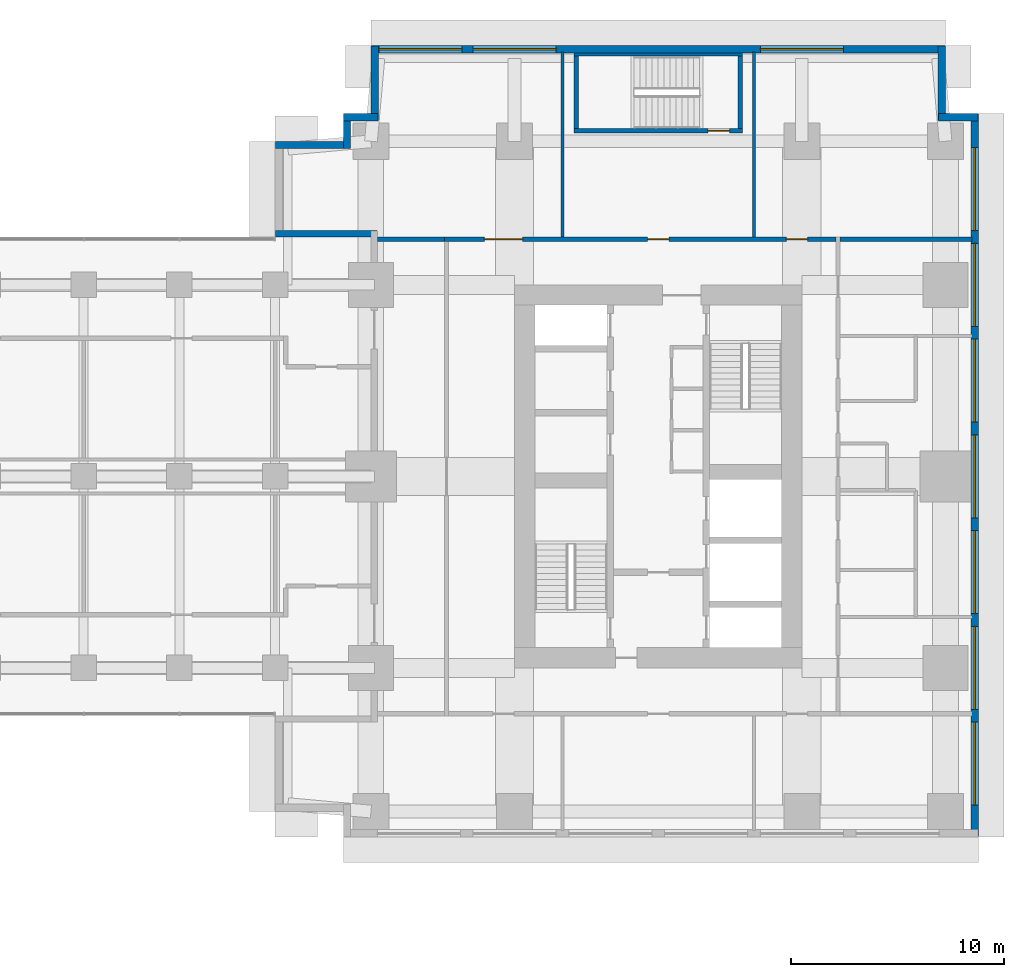
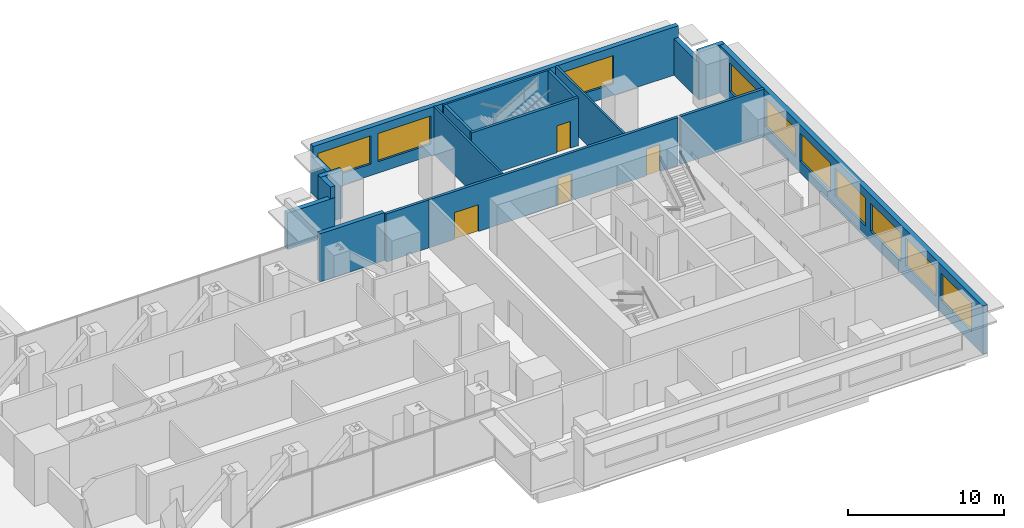
# One storey, part 12 of 16: 18 walls, 10 windows, 4 doors, 14 openings.
"""IFC4 building model written with IfcOpenShell, lengths in metres."""

from ifc_helpers import new_model, si_unit, direction, frame, frame_2d, origin, place, context, subcontext, project, spatial, rectangle, extrude, material, layer, layer_set, type_object, element, fill, save


model = new_model("IFC4")

# Units and contexts
model_context = context("Model", 3, precision=1e-05, world=origin(), true_north=direction((0.0, 1.0)))
body_context = subcontext(model_context, "Body", "Model", "MODEL_VIEW")
ifc_project = project(units=[si_unit("LENGTHUNIT", "METRE"), si_unit("AREAUNIT", "SQUARE_METRE"), si_unit("VOLUMEUNIT", "CUBIC_METRE"), si_unit("PLANEANGLEUNIT", "RADIAN"), si_unit("MASSUNIT", "GRAM", prefix="KILO")], contexts=[model_context])

# Site, building, storey
site_placement = place(None, origin())
site = spatial("IfcSite", under=ifc_project, at=site_placement, CompositionType="ELEMENT")
building_placement = place(site_placement, origin())
building = spatial("IfcBuilding", under=site, at=building_placement, Name="Namib Vertical Campus", CompositionType="ELEMENT")
storey_placement = place(building_placement, frame((0.0, 0.0, 121.0)))
storey = spatial("IfcBuildingStorey", under=building, at=storey_placement, Name="L28", CompositionType="ELEMENT", Elevation=121.0)

# Wall, openings, doors
ifc_material_1 = material(Name="Concrete masonry", Category="masonry")
ifc_layer_1 = layer(ifc_material_1, 0.199951171875)
ifc_layer_set_1 = layer_set([ifc_layer_1], Name="Corridor wall 200")
wall_type_1 = type_object("IfcWallType", Name="Corridor wall 200", PredefinedType="SOLIDWALL", material=ifc_layer_set_1)
wall_1_placement = place(storey_placement, frame((89.35009765625, 31.39990234375, 0.0), z_axis=(0.0, 0.0, 1.0), x_axis=(-1.0, 0.0, 0.0)))
wall_1 = element("IfcWall", 1, at=wall_1_placement, inside=storey, type_object=wall_type_1, Name="Corridor wall B L28 CN", PredefinedType="SOLIDWALL", context=body_context, shape_type="SweptSolid", body=[
    extrude(rectangle(XDim=18.400146484375, YDim=0.199951171875, at=frame_2d((9.2001953125, 0.0))), origin(), (0.0, 0.0, 1.0), 3.75),
])
opening_1_placement = place(wall_1_placement, frame((14.72509765625, 0.0, 0.0)))
opening_1 = element("IfcOpeningElement", 2, at=opening_1_placement, cuts=wall_1, Name="Opening CD2", PredefinedType="OPENING", context=body_context, shape_type="SweptSolid", body=[
    extrude(rectangle(XDim=1.800048828125, YDim=2.10009765625, at=frame_2d((0.89990234375, 1.050048828125))), frame((0.0, 0.10986328125, 0.0), z_axis=(0.0, -1.0, 0.0), x_axis=(1.0, 0.0, 0.0)), (0.0, 0.0, 1.0), 0.219970703125),
])
opening_2_placement = place(wall_1_placement, frame((7.85009765625, 0.0, 0.0)))
opening_2 = element("IfcOpeningElement", 3, at=opening_2_placement, cuts=wall_1, Name="Opening CD1", PredefinedType="OPENING", context=body_context, shape_type="SweptSolid", body=[
    extrude(rectangle(XDim=1.0, YDim=2.10009765625, at=frame_2d((0.5, 1.050048828125))), frame((0.0, 0.10986328125, 0.0), z_axis=(0.0, -1.0, 0.0), x_axis=(1.0, 0.0, 0.0)), (0.0, 0.0, 1.0), 0.219970703125),
])
opening_3_placement = place(wall_1_placement, frame((1.324951171875, 0.0, 0.0)))
opening_3 = element("IfcOpeningElement", 4, at=opening_3_placement, cuts=wall_1, Name="Opening CD1", PredefinedType="OPENING", context=body_context, shape_type="SweptSolid", body=[
    extrude(rectangle(XDim=1.0, YDim=2.10009765625, at=frame_2d((0.5, 1.050048828125))), frame((0.0, 0.10986328125, 0.0), z_axis=(0.0, -1.0, 0.0), x_axis=(1.0, 0.0, 0.0)), (0.0, 0.0, 1.0), 0.219970703125),
])
ifc_material_2 = material(Name="Timber fire door leaf", Category="wood")
door_type_1 = type_object("IfcDoorType", Name="Corridor door 1000x2100 20 min", OperationType="SINGLE_SWING_LEFT", PredefinedType="DOOR", material=ifc_material_2)
door_1_placement = place(opening_2_placement, frame((1.0, 0.0, 0.0), z_axis=(0.0, 0.0, 1.0), x_axis=(-1.0, 0.0, 0.0)))
door_1 = element("IfcDoor", 5, at=door_1_placement, inside=storey, type_object=door_type_1, Name="Door CD1 B28-12", OperationType="SINGLE_SWING_RIGHT", OverallHeight=2.10009765625, OverallWidth=1.0, PredefinedType="DOOR", context=body_context, shape_type="SweptSolid", body=[
    extrude(rectangle(XDim=1.0, YDim=2.10009765625, at=frame_2d((0.5, 1.050048828125))), frame((0.0, 0.02490234375, 0.0), z_axis=(0.0, -1.0, 0.0), x_axis=(1.0, 0.0, 0.0)), (0.0, 0.0, 1.0), 0.050048828125),
])
fill(opening_2, door_1)
door_2_placement = place(opening_3_placement, frame((1.0, 0.0, 0.0), z_axis=(0.0, 0.0, 1.0), x_axis=(-1.0, 0.0, 0.0)))
door_2 = element("IfcDoor", 6, at=door_2_placement, inside=storey, type_object=door_type_1, Name="Door CD1 B28-13", OperationType="SINGLE_SWING_LEFT", OverallHeight=2.10009765625, OverallWidth=1.0, PredefinedType="DOOR", context=body_context, shape_type="SweptSolid", body=[
    extrude(rectangle(XDim=1.0, YDim=2.10009765625, at=frame_2d((0.5, 1.050048828125))), frame((0.0, 0.02490234375, 0.0), z_axis=(0.0, -1.0, 0.0), x_axis=(1.0, 0.0, 0.0)), (0.0, 0.0, 1.0), 0.050048828125),
])
fill(opening_3, door_2)
ifc_material_3 = material(Name="Timber fire door leaf", Category="wood")
door_type_2 = type_object("IfcDoorType", Name="Corridor door double 1800x2100 20 min", OperationType="DOUBLE_DOOR_SINGLE_SWING", PredefinedType="DOOR", material=ifc_material_3)
door_3_placement = place(opening_1_placement, frame((1.800048828125, 0.0, 0.0), z_axis=(0.0, 0.0, 1.0), x_axis=(-1.0, 0.0, 0.0)))
door_3 = element("IfcDoor", 7, at=door_3_placement, inside=storey, type_object=door_type_2, Name="Door CD2 B28-11", OperationType="DOUBLE_DOOR_SINGLE_SWING", OverallHeight=2.10009765625, OverallWidth=1.800048828125, PredefinedType="DOOR", context=body_context, shape_type="SweptSolid", body=[
    extrude(rectangle(XDim=1.800048828125, YDim=2.10009765625, at=frame_2d((0.89990234375, 1.050048828125))), frame((0.0, 0.02490234375, 0.0), z_axis=(0.0, -1.0, 0.0), x_axis=(1.0, 0.0, 0.0)), (0.0, 0.0, 1.0), 0.050048828125),
])
fill(opening_1, door_3)

# Walls
wall_2_placement = place(storey_placement, frame((67.800048828125, 31.39990234375, 0.0), z_axis=(0.0, 0.0, 1.0), x_axis=(1.0, 0.0, 0.0)))
element("IfcWall", 8, at=wall_2_placement, inside=storey, type_object=wall_type_1, Name="Partition B L28 BNW", PredefinedType="SOLIDWALL", context=body_context, shape_type="SweptSolid", body=[
    extrude(rectangle(XDim=3.14990234375, YDim=0.199951171875, at=frame_2d((1.574951171875, 0.0))), origin(), (0.0, 0.0, 1.0), 3.75),
])
wall_3_placement = place(storey_placement, frame((89.550048828125, 31.39990234375, 0.0), z_axis=(0.0, 0.0, 1.0), x_axis=(1.0, 0.0, 0.0)))
element("IfcWall", 9, at=wall_3_placement, inside=storey, type_object=wall_type_1, Name="Partition B L28 BNE", PredefinedType="SOLIDWALL", context=body_context, shape_type="SweptSolid", body=[
    extrude(rectangle(XDim=6.199951171875, YDim=0.199951171875, at=frame_2d((3.10009765625, 0.0))), origin(), (0.0, 0.0, 1.0), 3.75),
])

# Wall, openings, windows
ifc_material_4 = material(Name="Concrete C40/50", Category="concrete")
ifc_layer_2 = layer(ifc_material_4, 0.35009765625)
ifc_layer_set_2 = layer_set([ifc_layer_2], Name="Concrete C40/50")
wall_type_2 = type_object("IfcWallType", Name="External wall 350 bush-hammered concrete", PredefinedType="STANDARD", material=ifc_layer_set_2)
wall_4_placement = place(storey_placement, frame((95.875, 3.320068359375, 0.0), z_axis=(0.0, 0.0, 1.0), x_axis=(0.0, 1.0, 0.0)))
wall_4 = element("IfcWall", 10, at=wall_4_placement, inside=storey, type_object=wall_type_2, Name="External wall L28 F05", PredefinedType="STANDARD", context=body_context, shape_type="SweptSolid", body=[
    extrude(rectangle(XDim=33.9599609375, YDim=0.35009765625, at=frame_2d((16.97998046875, 0.0))), origin(), (0.0, 0.0, 1.0), 3.75),
])
opening_4_placement = place(wall_4_placement, frame((1.47998046875, 0.0, 0.89990234375)))
opening_4 = element("IfcOpeningElement", 11, at=opening_4_placement, cuts=wall_4, Name="Opening W1", PredefinedType="OPENING", context=body_context, shape_type="SweptSolid", body=[
    extrude(rectangle(XDim=3.89990234375, YDim=2.199951171875, at=frame_2d((1.949951171875, 1.10009765625))), frame((0.0, 0.18505859375, 0.0), z_axis=(0.0, -1.0, 0.0), x_axis=(1.0, 0.0, 0.0)), (0.0, 0.0, 1.0), 0.3701171875),
])
opening_5_placement = place(wall_4_placement, frame((5.97998046875, 0.0, 0.89990234375)))
opening_5 = element("IfcOpeningElement", 12, at=opening_5_placement, cuts=wall_4, Name="Opening W1", PredefinedType="OPENING", context=body_context, shape_type="SweptSolid", body=[
    extrude(rectangle(XDim=3.89990234375, YDim=2.199951171875, at=frame_2d((1.949951171875, 1.10009765625))), frame((0.0, 0.18505859375, 0.0), z_axis=(0.0, -1.0, 0.0), x_axis=(1.0, 0.0, 0.0)), (0.0, 0.0, 1.0), 0.3701171875),
])
opening_6_placement = place(wall_4_placement, frame((10.47998046875, 0.0, 0.89990234375)))
opening_6 = element("IfcOpeningElement", 13, at=opening_6_placement, cuts=wall_4, Name="Opening W1", PredefinedType="OPENING", context=body_context, shape_type="SweptSolid", body=[
    extrude(rectangle(XDim=3.89990234375, YDim=2.199951171875, at=frame_2d((1.949951171875, 1.10009765625))), frame((0.0, 0.18505859375, 0.0), z_axis=(0.0, -1.0, 0.0), x_axis=(1.0, 0.0, 0.0)), (0.0, 0.0, 1.0), 0.3701171875),
])
opening_7_placement = place(wall_4_placement, frame((14.97998046875, 0.0, 0.89990234375)))
opening_7 = element("IfcOpeningElement", 14, at=opening_7_placement, cuts=wall_4, Name="Opening W1", PredefinedType="OPENING", context=body_context, shape_type="SweptSolid", body=[
    extrude(rectangle(XDim=3.89990234375, YDim=2.199951171875, at=frame_2d((1.949951171875, 1.10009765625))), frame((0.0, 0.18505859375, 0.0), z_axis=(0.0, -1.0, 0.0), x_axis=(1.0, 0.0, 0.0)), (0.0, 0.0, 1.0), 0.3701171875),
])
opening_8_placement = place(wall_4_placement, frame((19.47998046875, 0.0, 0.89990234375)))
opening_8 = element("IfcOpeningElement", 15, at=opening_8_placement, cuts=wall_4, Name="Opening W1", PredefinedType="OPENING", context=body_context, shape_type="SweptSolid", body=[
    extrude(rectangle(XDim=3.89990234375, YDim=2.199951171875, at=frame_2d((1.949951171875, 1.10009765625))), frame((0.0, 0.18505859375, 0.0), z_axis=(0.0, -1.0, 0.0), x_axis=(1.0, 0.0, 0.0)), (0.0, 0.0, 1.0), 0.3701171875),
])
opening_9_placement = place(wall_4_placement, frame((23.97998046875, 0.0, 0.89990234375)))
opening_9 = element("IfcOpeningElement", 16, at=opening_9_placement, cuts=wall_4, Name="Opening W1", PredefinedType="OPENING", context=body_context, shape_type="SweptSolid", body=[
    extrude(rectangle(XDim=3.89990234375, YDim=2.199951171875, at=frame_2d((1.949951171875, 1.10009765625))), frame((0.0, 0.18505859375, 0.0), z_axis=(0.0, -1.0, 0.0), x_axis=(1.0, 0.0, 0.0)), (0.0, 0.0, 1.0), 0.3701171875),
])
opening_10_placement = place(wall_4_placement, frame((28.47998046875, 0.0, 0.89990234375)))
opening_10 = element("IfcOpeningElement", 17, at=opening_10_placement, cuts=wall_4, Name="Opening W1", PredefinedType="OPENING", context=body_context, shape_type="SweptSolid", body=[
    extrude(rectangle(XDim=3.89990234375, YDim=2.199951171875, at=frame_2d((1.949951171875, 1.10009765625))), frame((0.0, 0.18505859375, 0.0), z_axis=(0.0, -1.0, 0.0), x_axis=(1.0, 0.0, 0.0)), (0.0, 0.0, 1.0), 0.3701171875),
])
ifc_material_5 = material(Name="Dark tinted glass in black aluminium frame", Category="aluminium")
window_type = type_object("IfcWindowType", Name="Ribbon window 3900x2200", PartitioningType="SINGLE_PANEL", PredefinedType="WINDOW", material=ifc_material_5)
window_1_placement = place(opening_4_placement, origin())
window_1 = element("IfcWindow", 18, at=window_1_placement, inside=storey, type_object=window_type, Name="Window W1 L28 F05-1", OverallHeight=2.199951171875, OverallWidth=3.89990234375, PartitioningType="SINGLE_PANEL", PredefinedType="WINDOW", context=body_context, shape_type="SweptSolid", body=[
    extrude(rectangle(XDim=3.89990234375, YDim=2.199951171875, at=frame_2d((1.949951171875, 1.10009765625))), frame((0.0, 0.030029296875, 0.0), z_axis=(0.0, -1.0, 0.0), x_axis=(1.0, 0.0, 0.0)), (0.0, 0.0, 1.0), 0.06005859375),
])
fill(opening_4, window_1)
window_2_placement = place(opening_5_placement, origin())
window_2 = element("IfcWindow", 19, at=window_2_placement, inside=storey, type_object=window_type, Name="Window W1 L28 F05-2", OverallHeight=2.199951171875, OverallWidth=3.89990234375, PartitioningType="SINGLE_PANEL", PredefinedType="WINDOW", context=body_context, shape_type="SweptSolid", body=[
    extrude(rectangle(XDim=3.89990234375, YDim=2.199951171875, at=frame_2d((1.949951171875, 1.10009765625))), frame((0.0, 0.030029296875, 0.0), z_axis=(0.0, -1.0, 0.0), x_axis=(1.0, 0.0, 0.0)), (0.0, 0.0, 1.0), 0.06005859375),
])
fill(opening_5, window_2)
window_3_placement = place(opening_6_placement, origin())
window_3 = element("IfcWindow", 20, at=window_3_placement, inside=storey, type_object=window_type, Name="Window W1 L28 F05-3", OverallHeight=2.199951171875, OverallWidth=3.89990234375, PartitioningType="SINGLE_PANEL", PredefinedType="WINDOW", context=body_context, shape_type="SweptSolid", body=[
    extrude(rectangle(XDim=3.89990234375, YDim=2.199951171875, at=frame_2d((1.949951171875, 1.10009765625))), frame((0.0, 0.030029296875, 0.0), z_axis=(0.0, -1.0, 0.0), x_axis=(1.0, 0.0, 0.0)), (0.0, 0.0, 1.0), 0.06005859375),
])
fill(opening_6, window_3)
window_4_placement = place(opening_7_placement, origin())
window_4 = element("IfcWindow", 21, at=window_4_placement, inside=storey, type_object=window_type, Name="Window W1 L28 F05-4", OverallHeight=2.199951171875, OverallWidth=3.89990234375, PartitioningType="SINGLE_PANEL", PredefinedType="WINDOW", context=body_context, shape_type="SweptSolid", body=[
    extrude(rectangle(XDim=3.89990234375, YDim=2.199951171875, at=frame_2d((1.949951171875, 1.10009765625))), frame((0.0, 0.030029296875, 0.0), z_axis=(0.0, -1.0, 0.0), x_axis=(1.0, 0.0, 0.0)), (0.0, 0.0, 1.0), 0.06005859375),
])
fill(opening_7, window_4)
window_5_placement = place(opening_8_placement, origin())
window_5 = element("IfcWindow", 22, at=window_5_placement, inside=storey, type_object=window_type, Name="Window W1 L28 F05-5", OverallHeight=2.199951171875, OverallWidth=3.89990234375, PartitioningType="SINGLE_PANEL", PredefinedType="WINDOW", context=body_context, shape_type="SweptSolid", body=[
    extrude(rectangle(XDim=3.89990234375, YDim=2.199951171875, at=frame_2d((1.949951171875, 1.10009765625))), frame((0.0, 0.030029296875, 0.0), z_axis=(0.0, -1.0, 0.0), x_axis=(1.0, 0.0, 0.0)), (0.0, 0.0, 1.0), 0.06005859375),
])
fill(opening_8, window_5)
window_6_placement = place(opening_9_placement, origin())
window_6 = element("IfcWindow", 23, at=window_6_placement, inside=storey, type_object=window_type, Name="Window W1 L28 F05-6", OverallHeight=2.199951171875, OverallWidth=3.89990234375, PartitioningType="SINGLE_PANEL", PredefinedType="WINDOW", context=body_context, shape_type="SweptSolid", body=[
    extrude(rectangle(XDim=3.89990234375, YDim=2.199951171875, at=frame_2d((1.949951171875, 1.10009765625))), frame((0.0, 0.030029296875, 0.0), z_axis=(0.0, -1.0, 0.0), x_axis=(1.0, 0.0, 0.0)), (0.0, 0.0, 1.0), 0.06005859375),
])
fill(opening_9, window_6)
window_7_placement = place(opening_10_placement, origin())
window_7 = element("IfcWindow", 24, at=window_7_placement, inside=storey, type_object=window_type, Name="Window W1 L28 F05-7", OverallHeight=2.199951171875, OverallWidth=3.89990234375, PartitioningType="SINGLE_PANEL", PredefinedType="WINDOW", context=body_context, shape_type="SweptSolid", body=[
    extrude(rectangle(XDim=3.89990234375, YDim=2.199951171875, at=frame_2d((1.949951171875, 1.10009765625))), frame((0.0, 0.030029296875, 0.0), z_axis=(0.0, -1.0, 0.0), x_axis=(1.0, 0.0, 0.0)), (0.0, 0.0, 1.0), 0.06005859375),
])
fill(opening_10, window_7)

# Walls
wall_5_placement = place(storey_placement, frame((96.030029296875, 37.125, 0.0), z_axis=(0.0, 0.0, 1.0), x_axis=(-1.0, 0.0, 0.0)))
element("IfcWall", 25, at=wall_5_placement, inside=storey, type_object=wall_type_2, Name="External wall L28 F06", PredefinedType="STANDARD", context=body_context, shape_type="SweptSolid", body=[
    extrude(rectangle(XDim=1.860107421875, YDim=0.35009765625, at=frame_2d((0.93017578125, 0.0))), origin(), (0.0, 0.0, 1.0), 3.75),
])
wall_6_placement = place(storey_placement, frame((94.324951171875, 36.969970703125, 0.0), z_axis=(0.0, 0.0, 1.0), x_axis=(0.0, 1.0, 0.0)))
element("IfcWall", 26, at=wall_6_placement, inside=storey, type_object=wall_type_2, Name="External wall L28 F07", PredefinedType="STANDARD", context=body_context, shape_type="SweptSolid", body=[
    extrude(rectangle(XDim=3.510009765625, YDim=0.35009765625, at=frame_2d((1.7548828125, 0.0))), origin(), (0.0, 0.0, 1.0), 2.85009765625),
])

# Wall, openings, windows
wall_7_placement = place(storey_placement, frame((94.47998046875, 40.324951171875, 0.0), z_axis=(0.0, 0.0, 1.0), x_axis=(-1.0, 0.0, 0.0)))
wall_7 = element("IfcWall", 27, at=wall_7_placement, inside=storey, type_object=wall_type_2, Name="External wall L28 F08", PredefinedType="STANDARD", context=body_context, shape_type="SweptSolid", body=[
    extrude(rectangle(XDim=26.9599609375, YDim=0.35009765625, at=frame_2d((13.47998046875, 0.0))), origin(), (0.0, 0.0, 1.0), 3.75),
])
opening_11_placement = place(wall_7_placement, frame((22.7099609375, 0.0, 0.89990234375)))
opening_11 = element("IfcOpeningElement", 28, at=opening_11_placement, cuts=wall_7, Name="Opening W1", PredefinedType="OPENING", context=body_context, shape_type="SweptSolid", body=[
    extrude(rectangle(XDim=3.89990234375, YDim=2.199951171875, at=frame_2d((1.949951171875, 1.10009765625))), frame((0.0, 0.18505859375, 0.0), z_axis=(0.0, -1.0, 0.0), x_axis=(1.0, 0.0, 0.0)), (0.0, 0.0, 1.0), 0.3701171875),
])
opening_12_placement = place(wall_7_placement, frame((18.280029296875, 0.0, 0.89990234375)))
opening_12 = element("IfcOpeningElement", 29, at=opening_12_placement, cuts=wall_7, Name="Opening W1", PredefinedType="OPENING", context=body_context, shape_type="SweptSolid", body=[
    extrude(rectangle(XDim=3.89990234375, YDim=2.199951171875, at=frame_2d((1.949951171875, 1.10009765625))), frame((0.0, 0.18505859375, 0.0), z_axis=(0.0, -1.0, 0.0), x_axis=(1.0, 0.0, 0.0)), (0.0, 0.0, 1.0), 0.3701171875),
])
opening_13_placement = place(wall_7_placement, frame((4.780029296875, 0.0, 0.89990234375)))
opening_13 = element("IfcOpeningElement", 30, at=opening_13_placement, cuts=wall_7, Name="Opening W1", PredefinedType="OPENING", context=body_context, shape_type="SweptSolid", body=[
    extrude(rectangle(XDim=3.89990234375, YDim=2.199951171875, at=frame_2d((1.949951171875, 1.10009765625))), frame((0.0, 0.18505859375, 0.0), z_axis=(0.0, -1.0, 0.0), x_axis=(1.0, 0.0, 0.0)), (0.0, 0.0, 1.0), 0.3701171875),
])
window_8_placement = place(opening_11_placement, origin())
window_8 = element("IfcWindow", 31, at=window_8_placement, inside=storey, type_object=window_type, Name="Window W1 L28 F08-1", OverallHeight=2.199951171875, OverallWidth=3.89990234375, PartitioningType="SINGLE_PANEL", PredefinedType="WINDOW", context=body_context, shape_type="SweptSolid", body=[
    extrude(rectangle(XDim=3.89990234375, YDim=2.199951171875, at=frame_2d((1.949951171875, 1.10009765625))), frame((0.0, 0.030029296875, 0.0), z_axis=(0.0, -1.0, 0.0), x_axis=(1.0, 0.0, 0.0)), (0.0, 0.0, 1.0), 0.06005859375),
])
fill(opening_11, window_8)
window_9_placement = place(opening_12_placement, origin())
window_9 = element("IfcWindow", 32, at=window_9_placement, inside=storey, type_object=window_type, Name="Window W1 L28 F08-2", OverallHeight=2.199951171875, OverallWidth=3.89990234375, PartitioningType="SINGLE_PANEL", PredefinedType="WINDOW", context=body_context, shape_type="SweptSolid", body=[
    extrude(rectangle(XDim=3.89990234375, YDim=2.199951171875, at=frame_2d((1.949951171875, 1.10009765625))), frame((0.0, 0.030029296875, 0.0), z_axis=(0.0, -1.0, 0.0), x_axis=(1.0, 0.0, 0.0)), (0.0, 0.0, 1.0), 0.06005859375),
])
fill(opening_12, window_9)
window_10_placement = place(opening_13_placement, origin())
window_10 = element("IfcWindow", 33, at=window_10_placement, inside=storey, type_object=window_type, Name="Window W1 L28 F08-5", OverallHeight=2.199951171875, OverallWidth=3.89990234375, PartitioningType="SINGLE_PANEL", PredefinedType="WINDOW", context=body_context, shape_type="SweptSolid", body=[
    extrude(rectangle(XDim=3.89990234375, YDim=2.199951171875, at=frame_2d((1.949951171875, 1.10009765625))), frame((0.0, 0.030029296875, 0.0), z_axis=(0.0, -1.0, 0.0), x_axis=(1.0, 0.0, 0.0)), (0.0, 0.0, 1.0), 0.06005859375),
])
fill(opening_13, window_10)

# Walls
wall_8_placement = place(storey_placement, frame((67.675048828125, 40.47998046875, 0.0), z_axis=(0.0, 0.0, 1.0), x_axis=(0.0, -1.0, 0.0)))
element("IfcWall", 34, at=wall_8_placement, inside=storey, type_object=wall_type_2, Name="External wall L28 F09", PredefinedType="STANDARD", context=body_context, shape_type="SweptSolid", body=[
    extrude(rectangle(XDim=3.510009765625, YDim=0.35009765625, at=frame_2d((1.7548828125, 0.0))), origin(), (0.0, 0.0, 1.0), 2.85009765625),
])
for number, where, z_axis, x_axis, name in (
    (35, (67.830078125, 37.125, 0.0), (0.0, 0.0, 1.0), (-1.0, 0.0, 0.0), "External wall L28 F10"),
    (36, (66.375, 37.280029296875, 0.0), (0.0, 0.0, 1.0), (0.0, -1.0, 0.0), "External wall L28 F11"),
):
    element("IfcWall", number, at=place(storey_placement, frame(where, z_axis=z_axis, x_axis=x_axis)), inside=storey, type_object=wall_type_2, Name=name, PredefinedType="STANDARD", context=body_context, shape_type="SweptSolid", body=[
        extrude(rectangle(XDim=1.610107421875, YDim=0.35009765625, at=frame_2d((0.80517578125, 0.0))), origin(), (0.0, 0.0, 1.0), 3.75),
    ])
wall_9_placement = place(storey_placement, frame((66.530029296875, 35.824951171875, 0.0), z_axis=(0.0, 0.0, 1.0), x_axis=(-1.0, 0.0, 0.0)))
element("IfcWall", 37, at=wall_9_placement, inside=storey, type_object=wall_type_2, Name="External wall L28 F12", PredefinedType="STANDARD", context=body_context, shape_type="SweptSolid", body=[
    extrude(rectangle(XDim=3.510009765625, YDim=0.35009765625, at=frame_2d((1.7548828125, 0.0))), origin(), (0.0, 0.0, 1.0), 2.85009765625),
])
ifc_material_6 = material(Name="Concrete masonry", Category="masonry")
ifc_layer_3 = layer(ifc_material_6, 0.300048828125)
ifc_layer_set_3 = layer_set([ifc_layer_3], Name="Fire wall 300")
wall_type_3 = type_object("IfcWallType", Name="Fire wall 300", PredefinedType="SOLIDWALL", material=ifc_layer_set_3)
wall_10_placement = place(storey_placement, frame((63.02001953125, 31.64990234375, 0.0), z_axis=(0.0, 0.0, 1.0), x_axis=(1.0, 0.0, 0.0)))
element("IfcWall", 38, at=wall_10_placement, inside=storey, type_object=wall_type_3, Name="External wall L28 F14", PredefinedType="SOLIDWALL", context=body_context, shape_type="SweptSolid", body=[
    extrude(rectangle(XDim=4.760009765625, YDim=0.300048828125, at=frame_2d((2.3798828125, 0.0))), origin(), (0.0, 0.0, 1.0), 3.75),
])
ifc_material_7 = material(Name="Gypsum board on steel studs", Category="steel")
ifc_layer_4 = layer(ifc_material_7, 0.14990234375)
ifc_layer_set_4 = layer_set([ifc_layer_4], Name="Gypsum board on steel studs")
wall_type_4 = type_object("IfcWallType", Name="Partition 150", PredefinedType="PARTITIONING", material=ifc_layer_set_4)
for number, where, z_axis, x_axis, name in (
    (39, (76.5, 31.5, 0.0), (0.0, 0.0, 1.0), (0.0, 1.0, 0.0), "Partition B L28 PN1"),
    (40, (85.5, 31.5, 0.0), (0.0, 0.0, 1.0), (0.0, 1.0, 0.0), "Partition B L28 PN2"),
):
    element("IfcWall", number, at=place(storey_placement, frame(where, z_axis=z_axis, x_axis=x_axis)), inside=storey, type_object=wall_type_4, Name=name, PredefinedType="PARTITIONING", context=body_context, shape_type="SweptSolid", body=[
        extrude(rectangle(XDim=8.699951171875, YDim=0.14990234375, at=frame_2d((4.35009765625, 0.0))), origin(), (0.0, 0.0, 1.0), 3.75),
    ])
ifc_material_8 = material(Name="Concrete C40/50", Category="concrete")
ifc_layer_5 = layer(ifc_material_8, 0.14990234375)
ifc_layer_set_5 = layer_set([ifc_layer_5], Name="Concrete C40/50")
wall_type_5 = type_object("IfcWallType", Name="Stair enclosure wall RC 150", PredefinedType="SOLIDWALL", material=ifc_layer_set_5)
wall_11_placement = place(storey_placement, frame((77.050048828125, 40.074951171875, 0.0), z_axis=(0.0, 0.0, 1.0), x_axis=(1.0, 0.0, 0.0)))
element("IfcWall", 41, at=wall_11_placement, inside=storey, type_object=wall_type_5, Name="Stair enclosure wall B-S3 L28 N", PredefinedType="SOLIDWALL", context=body_context, shape_type="SweptSolid", body=[
    extrude(rectangle(XDim=7.89990234375, YDim=0.14990234375, at=frame_2d((3.949951171875, 0.0))), origin(), (0.0, 0.0, 1.0), 3.75),
])

# Wall, opening, door
ifc_material_9 = material(Name="Concrete C40/50", Category="concrete")
ifc_layer_6 = layer(ifc_material_9, 0.199951171875)
ifc_layer_set_6 = layer_set([ifc_layer_6], Name="Concrete C40/50")
wall_type_6 = type_object("IfcWallType", Name="Stair enclosure wall RC 200", PredefinedType="SOLIDWALL", material=ifc_layer_set_6)
wall_12_placement = place(storey_placement, frame((77.050048828125, 36.5, 0.0), z_axis=(0.0, 0.0, 1.0), x_axis=(1.0, 0.0, 0.0)))
wall_12 = element("IfcWall", 42, at=wall_12_placement, inside=storey, type_object=wall_type_6, Name="Stair enclosure wall B-S3 L28 S", PredefinedType="SOLIDWALL", context=body_context, shape_type="SweptSolid", body=[
    extrude(rectangle(XDim=7.89990234375, YDim=0.199951171875, at=frame_2d((3.949951171875, 0.0))), origin(), (0.0, 0.0, 1.0), 3.75),
])
opening_14_placement = place(wall_12_placement, frame((6.300048828125, 0.0, 0.0)))
opening_14 = element("IfcOpeningElement", 43, at=opening_14_placement, cuts=wall_12, Name="Opening FD1", PredefinedType="OPENING", context=body_context, shape_type="SweptSolid", body=[
    extrude(rectangle(XDim=1.0, YDim=2.10009765625, at=frame_2d((0.5, 1.050048828125))), frame((0.0, 0.10986328125, 0.0), z_axis=(0.0, -1.0, 0.0), x_axis=(1.0, 0.0, 0.0)), (0.0, 0.0, 1.0), 0.219970703125),
])
ifc_material_10 = material(Name="Steel fire door", Category="steel")
door_type_3 = type_object("IfcDoorType", Name="Fire door 1000x2100", OperationType="SINGLE_SWING_RIGHT", PredefinedType="DOOR", material=ifc_material_10)
door_4_placement = place(opening_14_placement, origin())
door_4 = element("IfcDoor", 44, at=door_4_placement, inside=storey, type_object=door_type_3, Name="Stair door FD1 B L28 S3", OperationType="SINGLE_SWING_RIGHT", OverallHeight=2.10009765625, OverallWidth=1.0, PredefinedType="DOOR", context=body_context, shape_type="SweptSolid", body=[
    extrude(rectangle(XDim=1.0, YDim=2.10009765625, at=frame_2d((0.5, 1.050048828125))), frame((0.0, 0.02490234375, 0.0), z_axis=(0.0, -1.0, 0.0), x_axis=(1.0, 0.0, 0.0)), (0.0, 0.0, 1.0), 0.050048828125),
])
fill(opening_14, door_4)

# Walls
for number, where, z_axis, x_axis, name in (
    (45, (77.14990234375, 36.60009765625, 0.0), (0.0, 0.0, 1.0), (0.0, 1.0, 0.0), "Stair enclosure wall B-S3 L28 W"),
    (46, (84.85009765625, 36.60009765625, 0.0), (0.0, 0.0, 1.0), (0.0, 1.0, 0.0), "Stair enclosure wall B-S3 L28 E"),
):
    element("IfcWall", number, at=place(storey_placement, frame(where, z_axis=z_axis, x_axis=x_axis)), inside=storey, type_object=wall_type_6, Name=name, PredefinedType="SOLIDWALL", context=body_context, shape_type="SweptSolid", body=[
        extrude(rectangle(XDim=3.39990234375, YDim=0.199951171875, at=frame_2d((1.699951171875, 0.0))), origin(), (0.0, 0.0, 1.0), 3.75),
    ])

save(model, "model.ifc")
